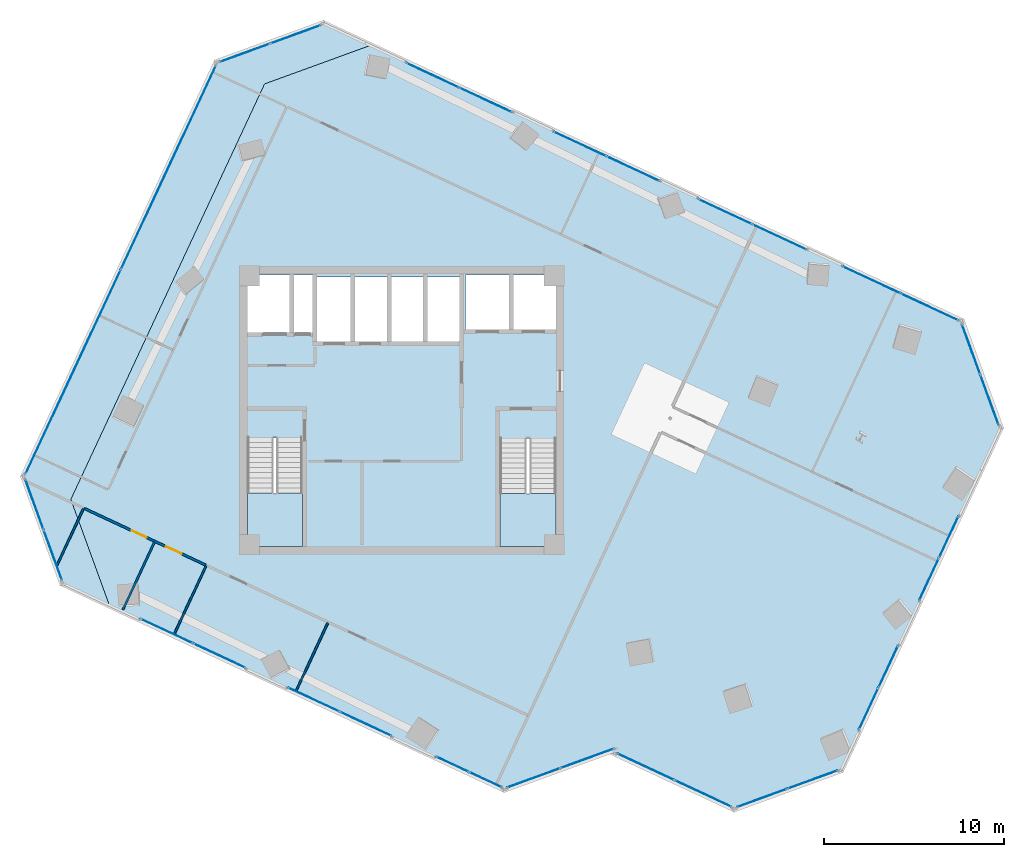
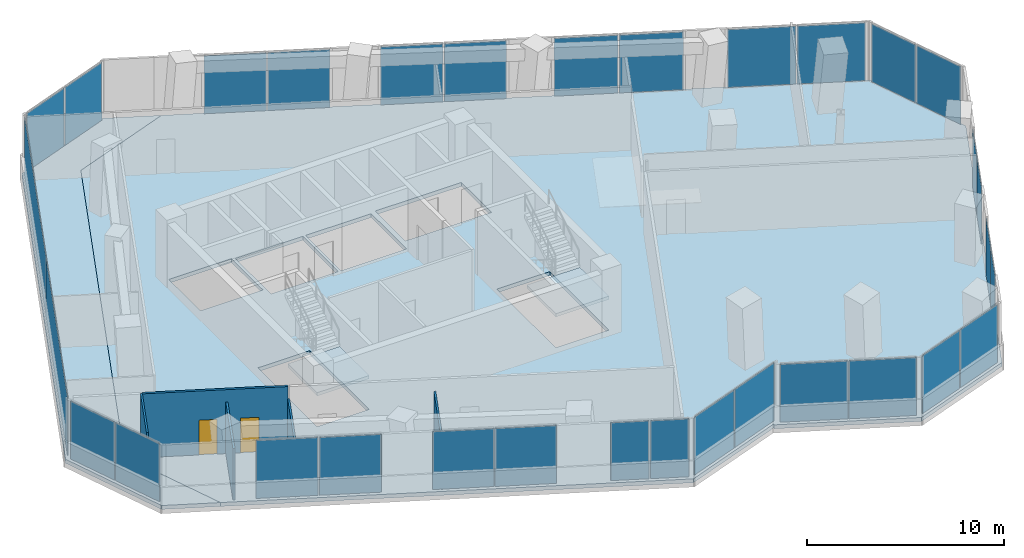
# One storey, part 16 of 23: 32 plates, 5 walls, 4 slabs, 2 doors, 2 openings, 18 elements without a shape of their own.
"""IFC4 building model written with IfcOpenShell, lengths in metres."""

from ifc_helpers import new_model, si_unit, direction, frame, frame_2d, origin, origin_2d, place, context, subcontext, project, spatial, polyline, rectangle, outline, extrude, source, transform, mapped, material, layer, layer_set, type_object, element, fill, aggregate, save


model = new_model("IFC4")

# Units and contexts
model_context = context("Model", 3, precision=1e-05, world=origin(), true_north=direction((0.0, 1.0)))
body_context = subcontext(model_context, "Body", "Model", "MODEL_VIEW")
ifc_project = project(units=[si_unit("LENGTHUNIT", "METRE"), si_unit("AREAUNIT", "SQUARE_METRE"), si_unit("VOLUMEUNIT", "CUBIC_METRE"), si_unit("PLANEANGLEUNIT", "RADIAN"), si_unit("MASSUNIT", "GRAM", prefix="KILO")], contexts=[model_context])

# Site, building, storey
site_placement = place(None, origin())
site = spatial("IfcSite", under=ifc_project, at=site_placement, CompositionType="ELEMENT")
building_placement = place(site_placement, origin())
building = spatial("IfcBuilding", under=site, at=building_placement, Name="Torre Montelarca", CompositionType="ELEMENT")
storey_placement = place(building_placement, frame((0.0, 0.0, 158.199951171875)))
storey = spatial("IfcBuildingStorey", under=building, at=storey_placement, Name="L35", CompositionType="ELEMENT", Elevation=158.199951171875)

# Slabs
ifc_material_1 = material(Name="Concrete C40/50", Category="concrete")
ifc_layer_1 = layer(ifc_material_1, 0.239990234375, Name="Concrete C40/50", Category="concrete")
ifc_layer_set_1 = layer_set([ifc_layer_1], Name="Concrete C40/50")
slab_type_1 = type_object("IfcSlabType", Name="SL-FLR-240", PredefinedType="FLOOR", material=ifc_layer_set_1)
slab_1_placement = place(storey_placement, frame((0.0, 0.0, -0.239990234375)))
element("IfcSlab", 1, at=slab_1_placement, inside=storey, type_object=slab_type_1, Name="L35 Structural Floor Slab", PredefinedType="FLOOR", context=body_context, shape_type="SweptSolid", body=[
    extrude(outline(polyline([(23.68701171875, 10.898681640625), (29.667236328125, 13.0751953125), (29.625, 12.984619140625), (36.42236328125, 9.81494140625), (42.402587890625, 11.99169921875), (51.277587890625, 31.024169921875), (49.100830078125, 37.004150390625), (16.38330078125, 52.2607421875), (10.403076171875, 50.083984375), (-0.33154296875, 27.06396484375), (1.84521484375, 21.083740234375), (23.68701171875, 10.898681640625)]), holes=[polyline([(26.550048828125, 24.449951171875), (23.43994140625, 24.449951171875), (23.43994140625, 30.429931640625), (26.550048828125, 30.429931640625), (26.550048828125, 24.449951171875)]), polyline([(9.449951171875, 24.449951171875), (9.449951171875, 30.4599609375), (12.5, 30.4599609375), (12.5, 24.449951171875), (9.449951171875, 24.449951171875)]), polyline([(17.25, 35.800048828125), (13.300048828125, 35.800048828125), (13.300048828125, 39.39990234375), (17.25, 39.39990234375), (17.25, 35.800048828125)]), polyline([(21.25, 39.39990234375), (21.25, 35.800048828125), (17.39990234375, 35.800048828125), (17.39990234375, 39.39990234375), (21.25, 39.39990234375)]), polyline([(13.1201171875, 36.300048828125), (9.449951171875, 36.300048828125), (9.449951171875, 39.5), (13.1201171875, 39.5), (13.1201171875, 36.300048828125)]), polyline([(26.60009765625, 36.449951171875), (21.550048828125, 36.449951171875), (21.550048828125, 39.5), (26.60009765625, 39.5), (26.60009765625, 36.449951171875)])]), origin(), (0.0, 0.0, 1.0), 0.239990234375),
])
slab_2_placement = place(storey_placement, frame((0.0, 0.0, -0.239990234375)))
element("IfcSlab", 2, at=slab_2_placement, inside=storey, type_object=slab_type_1, Name="L35 Sliding Tray Winter Garden Floor Slab W1", PredefinedType="FLOOR", context=body_context, shape_type="SweptSolid", body=[
    extrude(outline(polyline([(1.84521484375, 21.083740234375), (-0.33154296875, 27.06396484375), (10.403076171875, 50.083984375), (16.38330078125, 52.2607421875), (13.664306640625, 53.528564453125), (7.68408203125, 51.35205078125), (-3.05029296875, 28.331787109375), (-0.873779296875, 22.3515625), (1.84521484375, 21.083740234375)])), origin(), (0.0, 0.0, 1.0), 0.239990234375),
])

# Stair, slab
stair_type_1 = type_object("IfcStairType", Name="ST-CORE-ST1", PredefinedType="HALF_TURN_STAIR", material=ifc_material_1)
stair_1_placement = place(storey_placement, origin())
stair_1 = element("IfcStair", 3, at=stair_1_placement, inside=storey, type_object=stair_type_1, Name="L35 Protected Exit Stair ST1", PredefinedType="HALF_TURN_STAIR")
ifc_layer_2 = layer(ifc_material_1, 0.199951171875, Name="Concrete C40/50", Category="concrete")
ifc_layer_set_2 = layer_set([ifc_layer_2], Name="Concrete C40/50")
slab_type_2 = type_object("IfcSlabType", Name="SL-ST-LAND-ST1", PredefinedType="LANDING", material=ifc_layer_set_2)
slab_3_placement = place(storey_placement, frame((0.0, 0.0, 1.900146484375)))
slab_3 = element("IfcSlab", 4, at=slab_3_placement, type_object=slab_type_2, Name="ST1 landing 1", PredefinedType="LANDING", context=body_context, shape_type="SweptSolid", body=[
    extrude(outline(polyline([(9.449951171875, 27.419921875), (9.449951171875, 24.449951171875), (12.5, 24.449951171875), (12.5, 27.419921875), (9.449951171875, 27.419921875)])), origin(), (0.0, 0.0, 1.0), 0.199951171875),
])
aggregate(stair_1, [slab_3])

stair_type_2 = type_object("IfcStairType", Name="ST-CORE-ST2", PredefinedType="HALF_TURN_STAIR", material=ifc_material_1)
stair_2_placement = place(storey_placement, origin())
stair_2 = element("IfcStair", 5, at=stair_2_placement, inside=storey, type_object=stair_type_2, Name="L35 Protected Exit Stair ST2", PredefinedType="HALF_TURN_STAIR")
ifc_layer_3 = layer(ifc_material_1, 0.199951171875, Name="Concrete C40/50", Category="concrete")
ifc_layer_set_3 = layer_set([ifc_layer_3], Name="Concrete C40/50")
slab_type_3 = type_object("IfcSlabType", Name="SL-ST-LAND-ST2", PredefinedType="LANDING", material=ifc_layer_set_3)
slab_4_placement = place(storey_placement, frame((0.0, 0.0, 1.900146484375)))
slab_4 = element("IfcSlab", 6, at=slab_4_placement, type_object=slab_type_3, Name="ST2 landing 1", PredefinedType="LANDING", context=body_context, shape_type="SweptSolid", body=[
    extrude(outline(polyline([(23.43994140625, 27.389892578125), (23.43994140625, 24.449951171875), (26.550048828125, 24.449951171875), (26.550048828125, 27.389892578125), (23.43994140625, 27.389892578125)])), origin(), (0.0, 0.0, 1.0), 0.199951171875),
])
aggregate(stair_2, [slab_4])

# Curtain wall, plates
ifc_material_2 = material(Name="Insulated low-E laminated glass", Category="glass")
curtain_wall_type = type_object("IfcCurtainWallType", Name="CW-SYS-Z2", PredefinedType="USERDEFINED", material=ifc_material_2)
curtain_wall_1_placement = place(storey_placement, origin())
curtain_wall_1 = element("IfcCurtainWall", 7, at=curtain_wall_1_placement, inside=storey, type_object=curtain_wall_type, Name="L35 Curtain Wall Run CW-T3-L35-E01-B1", ObjectType="UNITISED GLAZING", PredefinedType="USERDEFINED")
ifc_layer_4 = layer(ifc_material_2, 0.031982421875, Name="Insulated low-E laminated glass", Category="glass")
ifc_layer_set_4 = layer_set([ifc_layer_4], Name="Insulated low-E laminated glass")
plate_type = type_object("IfcPlateType", Name="CWP-GLZ-32", PredefinedType="CURTAIN_PANEL", material=ifc_layer_set_4)
shared_shape_1 = source(origin(), body_context, "Body", "SweptSolid", [
    extrude(rectangle(XDim=3.160400390625, YDim=0.031982421875, at=origin_2d()), origin(), (0.0, 0.0, 1.0), 3.590087890625),
])
plate_1_placement = place(storey_placement, frame((4.981689453125, 19.7646484375, 0.06494140625), z_axis=(0.0, 0.0, 1.0), x_axis=(0.906310137418, -0.422613221295, 0.0)))
plate_1 = element("IfcPlate", 8, at=plate_1_placement, type_object=plate_type, Name="CW panel 1.1", PredefinedType="CURTAIN_PANEL", context=body_context, shape_type="MappedRepresentation", body=[
    mapped(shared_shape_1, transform((0.0, 0.0, 0.0), scale=1.0)),
])
plate_2_placement = place(storey_placement, frame((7.90478515625, 18.401611328125, 0.06494140625), z_axis=(0.0, 0.0, 1.0), x_axis=(0.906310137418, -0.422613221295, 0.0)))
plate_2 = element("IfcPlate", 9, at=plate_2_placement, type_object=plate_type, Name="CW panel 2.1", PredefinedType="CURTAIN_PANEL", context=body_context, shape_type="MappedRepresentation", body=[
    mapped(shared_shape_1, transform((0.0, 0.0, 0.0), scale=1.0)),
])
aggregate(curtain_wall_1, [plate_1, plate_2])

curtain_wall_2_placement = place(storey_placement, origin())
curtain_wall_2 = element("IfcCurtainWall", 10, at=curtain_wall_2_placement, inside=storey, type_object=curtain_wall_type, Name="L35 Curtain Wall Run CW-T3-L35-E01-B3", ObjectType="UNITISED GLAZING", PredefinedType="USERDEFINED")
shared_shape_2 = source(origin(), body_context, "Body", "SweptSolid", [
    extrude(rectangle(XDim=1.95458984375, YDim=0.031982421875, at=origin_2d()), origin(), (0.0, 0.0, 1.0), 3.590087890625),
])
plate_3_placement = place(storey_placement, frame((20.81689453125, 12.380615234375, 0.06494140625), z_axis=(0.0, 0.0, 1.0), x_axis=(0.906310711432, -0.422611990299, 0.0)))
plate_3 = element("IfcPlate", 11, at=plate_3_placement, type_object=plate_type, Name="CW panel 1.1", PredefinedType="CURTAIN_PANEL", context=body_context, shape_type="MappedRepresentation", body=[
    mapped(shared_shape_2, transform((0.0, 0.0, 0.0), scale=1.0)),
])
plate_4_placement = place(storey_placement, frame((22.647216796875, 11.527099609375, 0.06494140625), z_axis=(0.0, 0.0, 1.0), x_axis=(0.906310711432, -0.422611990299, 0.0)))
plate_4 = element("IfcPlate", 12, at=plate_4_placement, type_object=plate_type, Name="CW panel 2.1", PredefinedType="CURTAIN_PANEL", context=body_context, shape_type="MappedRepresentation", body=[
    mapped(shared_shape_2, transform((0.0, 0.0, 0.0), scale=1.0)),
])
aggregate(curtain_wall_2, [plate_3, plate_4])

curtain_wall_3_placement = place(storey_placement, origin())
curtain_wall_3 = element("IfcCurtainWall", 13, at=curtain_wall_3_placement, inside=storey, type_object=curtain_wall_type, Name="L35 Curtain Wall Run CW-T3-L35-E04-B1", ObjectType="UNITISED GLAZING", PredefinedType="USERDEFINED")
shared_shape_3 = source(origin(), body_context, "Body", "SweptSolid", [
    extrude(rectangle(XDim=3.448486328125, YDim=0.031982421875, at=origin_2d()), origin(), (0.0, 0.0, 1.0), 3.590087890625),
])
plate_5_placement = place(storey_placement, frame((31.52099609375, 12.243896484375, 0.06494140625), z_axis=(0.0, 0.0, 1.0), x_axis=(0.906315299534, -0.422602150764, 0.0)))
plate_5 = element("IfcPlate", 14, at=plate_5_placement, type_object=plate_type, Name="CW panel 1.1", PredefinedType="CURTAIN_PANEL", context=body_context, shape_type="MappedRepresentation", body=[
    mapped(shared_shape_3, transform((0.0, 0.0, 0.0), scale=1.0)),
])
plate_6_placement = place(storey_placement, frame((34.705322265625, 10.759033203125, 0.06494140625), z_axis=(0.0, 0.0, 1.0), x_axis=(0.906315299534, -0.422602150764, 0.0)))
plate_6 = element("IfcPlate", 15, at=plate_6_placement, type_object=plate_type, Name="CW panel 2.1", PredefinedType="CURTAIN_PANEL", context=body_context, shape_type="MappedRepresentation", body=[
    mapped(shared_shape_3, transform((0.0, 0.0, 0.0), scale=1.0)),
])
aggregate(curtain_wall_3, [plate_5, plate_6])

curtain_wall_4_placement = place(storey_placement, origin())
curtain_wall_4 = element("IfcCurtainWall", 16, at=curtain_wall_4_placement, inside=storey, type_object=curtain_wall_type, Name="L35 Curtain Wall Run CW-T3-L35-E05-B1", ObjectType="UNITISED GLAZING", PredefinedType="USERDEFINED")
shared_shape_4 = source(origin(), body_context, "Body", "SweptSolid", [
    extrude(rectangle(XDim=2.918701171875, YDim=0.031982421875, at=origin_2d()), origin(), (0.0, 0.0, 1.0), 3.590087890625),
])
plate_7_placement = place(storey_placement, frame((37.966064453125, 10.51513671875, 0.06494140625), z_axis=(0.0, 0.0, 1.0), x_axis=(0.939694159282, 0.342015916313, 0.0)))
plate_7 = element("IfcPlate", 17, at=plate_7_placement, type_object=plate_type, Name="CW panel 1.1", PredefinedType="CURTAIN_PANEL", context=body_context, shape_type="MappedRepresentation", body=[
    mapped(shared_shape_4, transform((0.0, 0.0, 0.0), scale=1.0)),
])
plate_8_placement = place(storey_placement, frame((40.769775390625, 11.53564453125, 0.06494140625), z_axis=(0.0, 0.0, 1.0), x_axis=(0.939694159282, 0.342015916313, 0.0)))
plate_8 = element("IfcPlate", 18, at=plate_8_placement, type_object=plate_type, Name="CW panel 2.1", PredefinedType="CURTAIN_PANEL", context=body_context, shape_type="MappedRepresentation", body=[
    mapped(shared_shape_4, transform((0.0, 0.0, 0.0), scale=1.0)),
])
aggregate(curtain_wall_4, [plate_7, plate_8])

curtain_wall_5_placement = place(storey_placement, origin())
curtain_wall_5 = element("IfcCurtainWall", 19, at=curtain_wall_5_placement, inside=storey, type_object=curtain_wall_type, Name="L35 Curtain Wall Run CW-T3-L35-E11-B1", ObjectType="UNITISED GLAZING", PredefinedType="USERDEFINED")
plate_9_placement = place(storey_placement, frame((-2.35009765625, 26.7880859375, 0.06494140625), z_axis=(0.0, 0.0, 1.0), x_axis=(0.342015916313, -0.939694159282, 0.0)))
plate_9 = element("IfcPlate", 20, at=plate_9_placement, type_object=plate_type, Name="CW panel 1.1", PredefinedType="CURTAIN_PANEL", context=body_context, shape_type="MappedRepresentation", body=[
    mapped(shared_shape_4, transform((0.0, 0.0, 0.0), scale=1.0)),
])
plate_10_placement = place(storey_placement, frame((-1.329833984375, 23.984375, 0.06494140625), z_axis=(0.0, 0.0, 1.0), x_axis=(0.342015916313, -0.939694159282, 0.0)))
plate_10 = element("IfcPlate", 21, at=plate_10_placement, type_object=plate_type, Name="CW panel 2.1", PredefinedType="CURTAIN_PANEL", context=body_context, shape_type="MappedRepresentation", body=[
    mapped(shared_shape_4, transform((0.0, 0.0, 0.0), scale=1.0)),
])
aggregate(curtain_wall_5, [plate_9, plate_10])

curtain_wall_6_placement = place(storey_placement, origin())
curtain_wall_6 = element("IfcCurtainWall", 22, at=curtain_wall_6_placement, inside=storey, type_object=curtain_wall_type, Name="L35 Curtain Wall Run CW-T3-L35-E06-B1", ObjectType="UNITISED GLAZING", PredefinedType="USERDEFINED")
shared_shape_5 = source(origin(), body_context, "Body", "SweptSolid", [
    extrude(rectangle(XDim=2.52099609375, YDim=0.031982421875, at=origin_2d()), origin(), (0.0, 0.0, 1.0), 3.590087890625),
])
plate_11_placement = place(storey_placement, frame((43.871826171875, 15.4501953125, 0.06494140625), z_axis=(0.0, 0.0, 1.0), x_axis=(0.422604238194, 0.906314326192, 0.0)))
plate_11 = element("IfcPlate", 23, at=plate_11_placement, type_object=plate_type, Name="CW panel 1.1", PredefinedType="CURTAIN_PANEL", context=body_context, shape_type="MappedRepresentation", body=[
    mapped(shared_shape_5, transform((0.0, 0.0, 0.0), scale=1.0)),
])
plate_12_placement = place(storey_placement, frame((44.964599609375, 17.793701171875, 0.06494140625), z_axis=(0.0, 0.0, 1.0), x_axis=(0.422604238194, 0.906314326192, 0.0)))
plate_12 = element("IfcPlate", 24, at=plate_12_placement, type_object=plate_type, Name="CW panel 2.1", PredefinedType="CURTAIN_PANEL", context=body_context, shape_type="MappedRepresentation", body=[
    mapped(shared_shape_5, transform((0.0, 0.0, 0.0), scale=1.0)),
])
aggregate(curtain_wall_6, [plate_11, plate_12])

curtain_wall_7_placement = place(storey_placement, origin())
curtain_wall_7 = element("IfcCurtainWall", 25, at=curtain_wall_7_placement, inside=storey, type_object=curtain_wall_type, Name="L35 Curtain Wall Run CW-T3-L35-E06-B2", ObjectType="UNITISED GLAZING", PredefinedType="USERDEFINED")
shared_shape_6 = source(origin(), body_context, "Body", "SweptSolid", [
    extrude(rectangle(XDim=2.52001953125, YDim=0.031982421875, at=origin_2d()), origin(), (0.0, 0.0, 1.0), 3.590087890625),
])
plate_13_placement = place(storey_placement, frame((47.220947265625, 22.63232421875, 0.06494140625), z_axis=(0.0, 0.0, 1.0), x_axis=(0.422626098733, 0.906304132546, 0.0)))
plate_13 = element("IfcPlate", 26, at=plate_13_placement, type_object=plate_type, Name="CW panel 1.1", PredefinedType="CURTAIN_PANEL", context=body_context, shape_type="MappedRepresentation", body=[
    mapped(shared_shape_6, transform((0.0, 0.0, 0.0), scale=1.0)),
])
plate_14_placement = place(storey_placement, frame((48.313232421875, 24.974853515625, 0.06494140625), z_axis=(0.0, 0.0, 1.0), x_axis=(0.422626098733, 0.906304132546, 0.0)))
plate_14 = element("IfcPlate", 27, at=plate_14_placement, type_object=plate_type, Name="CW panel 2.1", PredefinedType="CURTAIN_PANEL", context=body_context, shape_type="MappedRepresentation", body=[
    mapped(shared_shape_6, transform((0.0, 0.0, 0.0), scale=1.0)),
])
aggregate(curtain_wall_7, [plate_13, plate_14])

curtain_wall_8_placement = place(storey_placement, origin())
curtain_wall_8 = element("IfcCurtainWall", 28, at=curtain_wall_8_placement, inside=storey, type_object=curtain_wall_type, Name="L35 Curtain Wall Run CW-T3-L35-E08-B1", ObjectType="UNITISED GLAZING", PredefinedType="USERDEFINED")
shared_shape_7 = source(origin(), body_context, "Body", "SweptSolid", [
    extrude(rectangle(XDim=3.4921875, YDim=0.031982421875, at=origin_2d()), origin(), (0.0, 0.0, 1.0), 3.590087890625),
])
plate_15_placement = place(storey_placement, frame((47.25439453125, 37.721923828125, 0.06494140625), z_axis=(0.0, 0.0, 1.0), x_axis=(-0.906311916868, 0.422609405176, 0.0)))
plate_15 = element("IfcPlate", 29, at=plate_15_placement, type_object=plate_type, Name="CW panel 1.1", PredefinedType="CURTAIN_PANEL", context=body_context, shape_type="MappedRepresentation", body=[
    mapped(shared_shape_7, transform((0.0, 0.0, 0.0), scale=1.0)),
])
plate_16_placement = place(storey_placement, frame((44.030517578125, 39.22509765625, 0.06494140625), z_axis=(0.0, 0.0, 1.0), x_axis=(-0.906311916868, 0.422609405176, 0.0)))
plate_16 = element("IfcPlate", 30, at=plate_16_placement, type_object=plate_type, Name="CW panel 2.1", PredefinedType="CURTAIN_PANEL", context=body_context, shape_type="MappedRepresentation", body=[
    mapped(shared_shape_7, transform((0.0, 0.0, 0.0), scale=1.0)),
])
aggregate(curtain_wall_8, [plate_15, plate_16])

curtain_wall_9_placement = place(storey_placement, origin())
curtain_wall_9 = element("IfcCurtainWall", 31, at=curtain_wall_9_placement, inside=storey, type_object=curtain_wall_type, Name="L35 Curtain Wall Run CW-T3-L35-E08-B2", ObjectType="UNITISED GLAZING", PredefinedType="USERDEFINED")
shared_shape_8 = source(origin(), body_context, "Body", "SweptSolid", [
    extrude(rectangle(XDim=3.26513671875, YDim=0.031982421875, at=origin_2d()), origin(), (0.0, 0.0, 1.0), 3.590087890625),
])
plate_17_placement = place(storey_placement, frame((38.938232421875, 41.599609375, 0.06494140625), z_axis=(0.0, 0.0, 1.0), x_axis=(-0.906312631793, 0.422607871972, 0.0)))
plate_17 = element("IfcPlate", 32, at=plate_17_placement, type_object=plate_type, Name="CW panel 1.1", PredefinedType="CURTAIN_PANEL", context=body_context, shape_type="MappedRepresentation", body=[
    mapped(shared_shape_8, transform((0.0, 0.0, 0.0), scale=1.0)),
])
plate_18_placement = place(storey_placement, frame((35.920166015625, 43.007080078125, 0.06494140625), z_axis=(0.0, 0.0, 1.0), x_axis=(-0.906312631793, 0.422607871972, 0.0)))
plate_18 = element("IfcPlate", 33, at=plate_18_placement, type_object=plate_type, Name="CW panel 2.1", PredefinedType="CURTAIN_PANEL", context=body_context, shape_type="MappedRepresentation", body=[
    mapped(shared_shape_8, transform((0.0, 0.0, 0.0), scale=1.0)),
])
aggregate(curtain_wall_9, [plate_17, plate_18])

curtain_wall_10_placement = place(storey_placement, origin())
curtain_wall_10 = element("IfcCurtainWall", 34, at=curtain_wall_10_placement, inside=storey, type_object=curtain_wall_type, Name="L35 Curtain Wall Run CW-T3-L35-E08-B3", ObjectType="UNITISED GLAZING", PredefinedType="USERDEFINED")
shared_shape_9 = source(origin(), body_context, "Body", "SweptSolid", [
    extrude(rectangle(XDim=3.181884765625, YDim=0.031982421875, at=origin_2d()), origin(), (0.0, 0.0, 1.0), 3.590087890625),
])
plate_19_placement = place(storey_placement, frame((30.8193359375, 45.385498046875, 0.06494140625), z_axis=(0.0, 0.0, 1.0), x_axis=(-0.906309304335, 0.422615007869, 0.0)))
plate_19 = element("IfcPlate", 35, at=plate_19_placement, type_object=plate_type, Name="CW panel 1.1", PredefinedType="CURTAIN_PANEL", context=body_context, shape_type="MappedRepresentation", body=[
    mapped(shared_shape_9, transform((0.0, 0.0, 0.0), scale=1.0)),
])
plate_20_placement = place(storey_placement, frame((27.87646484375, 46.7578125, 0.06494140625), z_axis=(0.0, 0.0, 1.0), x_axis=(-0.906309304335, 0.422615007869, 0.0)))
plate_20 = element("IfcPlate", 36, at=plate_20_placement, type_object=plate_type, Name="CW panel 2.1", PredefinedType="CURTAIN_PANEL", context=body_context, shape_type="MappedRepresentation", body=[
    mapped(shared_shape_9, transform((0.0, 0.0, 0.0), scale=1.0)),
])
aggregate(curtain_wall_10, [plate_19, plate_20])

curtain_wall_11_placement = place(storey_placement, origin())
curtain_wall_11 = element("IfcCurtainWall", 37, at=curtain_wall_11_placement, inside=storey, type_object=curtain_wall_type, Name="L35 Curtain Wall Run CW-T3-L35-E08-B4", ObjectType="UNITISED GLAZING", PredefinedType="USERDEFINED")
shared_shape_10 = source(origin(), body_context, "Body", "SweptSolid", [
    extrude(rectangle(XDim=3.180908203125, YDim=0.031982421875, at=origin_2d()), origin(), (0.0, 0.0, 1.0), 3.590087890625),
])
plate_21_placement = place(storey_placement, frame((22.6630859375, 49.18896484375, 0.06494140625), z_axis=(0.0, 0.0, 1.0), x_axis=(-0.906310123566, 0.422613251002, 0.0)))
plate_21 = element("IfcPlate", 38, at=plate_21_placement, type_object=plate_type, Name="CW panel 1.1", PredefinedType="CURTAIN_PANEL", context=body_context, shape_type="MappedRepresentation", body=[
    mapped(shared_shape_10, transform((0.0, 0.0, 0.0), scale=1.0)),
])
plate_22_placement = place(storey_placement, frame((19.72119140625, 50.560791015625, 0.06494140625), z_axis=(0.0, 0.0, 1.0), x_axis=(-0.906310123566, 0.422613251002, 0.0)))
plate_22 = element("IfcPlate", 39, at=plate_22_placement, type_object=plate_type, Name="CW panel 2.1", PredefinedType="CURTAIN_PANEL", context=body_context, shape_type="MappedRepresentation", body=[
    mapped(shared_shape_10, transform((0.0, 0.0, 0.0), scale=1.0)),
])
aggregate(curtain_wall_11, [plate_21, plate_22])

curtain_wall_12_placement = place(storey_placement, origin())
curtain_wall_12 = element("IfcCurtainWall", 40, at=curtain_wall_12_placement, inside=storey, type_object=curtain_wall_type, Name="L35 Curtain Wall Run CW-T3-L35-E10-B1", ObjectType="UNITISED GLAZING", PredefinedType="USERDEFINED")
shared_shape_11 = source(origin(), body_context, "Body", "SweptSolid", [
    extrude(rectangle(XDim=12.4365234375, YDim=0.031982421875, at=origin_2d()), origin(), (0.0, 0.0, 1.0), 3.590087890625),
])
plate_23_placement = place(storey_placement, frame((5.076416015625, 45.4521484375, 0.06494140625), z_axis=(0.0, 0.0, 1.0), x_axis=(-0.422614216079, -0.906309673549, 0.0)))
plate_23 = element("IfcPlate", 41, at=plate_23_placement, type_object=plate_type, Name="CW panel 1.1", PredefinedType="CURTAIN_PANEL", context=body_context, shape_type="MappedRepresentation", body=[
    mapped(shared_shape_11, transform((0.0, 0.0, 0.0), scale=1.0)),
])
plate_24_placement = place(storey_placement, frame((-0.20703125, 34.121826171875, 0.06494140625), z_axis=(0.0, 0.0, 1.0), x_axis=(-0.422614216079, -0.906309673549, 0.0)))
plate_24 = element("IfcPlate", 42, at=plate_24_placement, type_object=plate_type, Name="CW panel 2.1", PredefinedType="CURTAIN_PANEL", context=body_context, shape_type="MappedRepresentation", body=[
    mapped(shared_shape_11, transform((0.0, 0.0, 0.0), scale=1.0)),
])
aggregate(curtain_wall_12, [plate_23, plate_24])

curtain_wall_13_placement = place(storey_placement, origin())
curtain_wall_13 = element("IfcCurtainWall", 43, at=curtain_wall_13_placement, inside=storey, type_object=curtain_wall_type, Name="L35 Curtain Wall Run CW-T3-L35-E02-B1", ObjectType="UNITISED GLAZING", PredefinedType="USERDEFINED")
shared_shape_12 = source(origin(), body_context, "Body", "SweptSolid", [
    extrude(rectangle(XDim=3.1025390625, YDim=0.031982421875, at=origin_2d()), origin(), (0.0, 0.0, 1.0), 3.590087890625),
])
plate_25_placement = place(storey_placement, frame((25.3173828125, 11.63037109375, 0.06494140625), z_axis=(0.0, 0.0, 1.0), x_axis=(0.939693473932, 0.342017799316, 0.0)))
plate_25 = element("IfcPlate", 44, at=plate_25_placement, type_object=plate_type, Name="CW panel 1.1", PredefinedType="CURTAIN_PANEL", context=body_context, shape_type="MappedRepresentation", body=[
    mapped(shared_shape_12, transform((0.0, 0.0, 0.0), scale=1.0)),
])
plate_26_placement = place(storey_placement, frame((28.293701171875, 12.713623046875, 0.06494140625), z_axis=(0.0, 0.0, 1.0), x_axis=(0.939693473932, 0.342017799316, 0.0)))
plate_26 = element("IfcPlate", 45, at=plate_26_placement, type_object=plate_type, Name="CW panel 2.1", PredefinedType="CURTAIN_PANEL", context=body_context, shape_type="MappedRepresentation", body=[
    mapped(shared_shape_12, transform((0.0, 0.0, 0.0), scale=1.0)),
])
aggregate(curtain_wall_13, [plate_25, plate_26])

curtain_wall_14_placement = place(storey_placement, origin())
curtain_wall_14 = element("IfcCurtainWall", 46, at=curtain_wall_14_placement, inside=storey, type_object=curtain_wall_type, Name="L35 Curtain Wall Run CW-T3-L35-E07-B1", ObjectType="UNITISED GLAZING", PredefinedType="USERDEFINED")
shared_shape_13 = source(origin(), body_context, "Body", "SweptSolid", [
    extrude(rectangle(XDim=2.91845703125, YDim=0.031982421875, at=origin_2d()), origin(), (0.0, 0.0, 1.0), 3.590087890625),
])
plate_27_placement = place(storey_placement, frame((50.5771484375, 32.56787109375, 0.06494140625), z_axis=(0.0, 0.0, 1.0), x_axis=(-0.342021244323, 0.939692220055, 0.0)))
plate_27 = element("IfcPlate", 47, at=plate_27_placement, type_object=plate_type, Name="CW panel 1.1", PredefinedType="CURTAIN_PANEL", context=body_context, shape_type="MappedRepresentation", body=[
    mapped(shared_shape_13, transform((0.0, 0.0, 0.0), scale=1.0)),
])
plate_28_placement = place(storey_placement, frame((49.556884765625, 35.371337890625, 0.06494140625), z_axis=(0.0, 0.0, 1.0), x_axis=(-0.342021244323, 0.939692220055, 0.0)))
plate_28 = element("IfcPlate", 48, at=plate_28_placement, type_object=plate_type, Name="CW panel 2.1", PredefinedType="CURTAIN_PANEL", context=body_context, shape_type="MappedRepresentation", body=[
    mapped(shared_shape_13, transform((0.0, 0.0, 0.0), scale=1.0)),
])
aggregate(curtain_wall_14, [plate_27, plate_28])

curtain_wall_15_placement = place(storey_placement, origin())
curtain_wall_15 = element("IfcCurtainWall", 49, at=curtain_wall_15_placement, inside=storey, type_object=curtain_wall_type, Name="L35 Curtain Wall Run CW-T3-L35-E09-B1", ObjectType="UNITISED GLAZING", PredefinedType="USERDEFINED")
plate_29_placement = place(storey_placement, frame((12.120361328125, 52.828369140625, 0.06494140625), z_axis=(0.0, 0.0, 1.0), x_axis=(-0.939692220055, -0.342021244323, 0.0)))
plate_29 = element("IfcPlate", 50, at=plate_29_placement, type_object=plate_type, Name="CW panel 1.1", PredefinedType="CURTAIN_PANEL", context=body_context, shape_type="MappedRepresentation", body=[
    mapped(shared_shape_13, transform((0.0, 0.0, 0.0), scale=1.0)),
])
plate_30_placement = place(storey_placement, frame((9.31689453125, 51.807861328125, 0.06494140625), z_axis=(0.0, 0.0, 1.0), x_axis=(-0.939692220055, -0.342021244323, 0.0)))
plate_30 = element("IfcPlate", 51, at=plate_30_placement, type_object=plate_type, Name="CW panel 2.1", PredefinedType="CURTAIN_PANEL", context=body_context, shape_type="MappedRepresentation", body=[
    mapped(shared_shape_13, transform((0.0, 0.0, 0.0), scale=1.0)),
])
aggregate(curtain_wall_15, [plate_29, plate_30])

curtain_wall_16_placement = place(storey_placement, origin())
curtain_wall_16 = element("IfcCurtainWall", 52, at=curtain_wall_16_placement, inside=storey, type_object=curtain_wall_type, Name="L35 Curtain Wall Run CW-T3-L35-E01-B2", ObjectType="UNITISED GLAZING", PredefinedType="USERDEFINED")
shared_shape_14 = source(origin(), body_context, "Body", "SweptSolid", [
    extrude(rectangle(XDim=3.12158203125, YDim=0.031982421875, at=origin_2d()), origin(), (0.0, 0.0, 1.0), 3.590087890625),
])
plate_31_placement = place(storey_placement, frame((13.120849609375, 15.96923828125, 0.06494140625), z_axis=(0.0, 0.0, 1.0), x_axis=(0.906313643594, -0.422605702085, 0.0)))
plate_31 = element("IfcPlate", 53, at=plate_31_placement, type_object=plate_type, Name="CW panel 1.1", PredefinedType="CURTAIN_PANEL", context=body_context, shape_type="MappedRepresentation", body=[
    mapped(shared_shape_14, transform((0.0, 0.0, 0.0), scale=1.0)),
])
plate_32_placement = place(storey_placement, frame((16.009033203125, 14.62255859375, 0.06494140625), z_axis=(0.0, 0.0, 1.0), x_axis=(0.906313643594, -0.422605702085, 0.0)))
plate_32 = element("IfcPlate", 54, at=plate_32_placement, type_object=plate_type, Name="CW panel 2.1", PredefinedType="CURTAIN_PANEL", context=body_context, shape_type="MappedRepresentation", body=[
    mapped(shared_shape_14, transform((0.0, 0.0, 0.0), scale=1.0)),
])
aggregate(curtain_wall_16, [plate_31, plate_32])

# Walls
ifc_material_3 = material(Name="Acoustic laminated glass partition", Category="glass")
ifc_layer_5 = layer(ifc_material_3, 0.10009765625, Name="Acoustic laminated glass partition", Category="glass")
ifc_layer_set_5 = layer_set([ifc_layer_5], Name="Acoustic laminated glass partition")
wall_type_1 = type_object("IfcWallType", Name="PW-GLAZ-100", PredefinedType="PARTITIONING", material=ifc_layer_set_5)
wall_1_placement = place(storey_placement, frame((-1.087646484375, 23.43115234375, 0.0), z_axis=(0.0, 0.0, 1.0), x_axis=(0.422632310917, 0.906301235665, 0.0)))
element("IfcWall", 55, at=wall_1_placement, inside=storey, type_object=wall_type_1, Name="L35 Interior Partition W-L35-WCW", PredefinedType="PARTITIONING", context=body_context, shape_type="SweptSolid", body=[
    extrude(rectangle(XDim=3.431884765625, YDim=0.10009765625, at=frame_2d((1.7158203125, 0.0))), origin(), (0.0, 0.0, 1.0), 3.9599609375),
])
for number, where, z_axis, x_axis, name in (
    (56, (5.410400390625, 19.619873046875, 0.0), (0.0, 0.0, 1.0), (0.422656233697, 0.906290079454, 0.0), "L35 Interior Partition W-L35-SWCDIV"),
    (57, (12.162353515625, 16.471435546875, 0.0), (0.0, 0.0, 1.0), (0.422656233697, 0.906290079454, 0.0), "L35 Interior Partition W-L35-SWDIV"),
):
    element("IfcWall", number, at=place(storey_placement, frame(where, z_axis=z_axis, x_axis=x_axis)), inside=storey, type_object=wall_type_1, Name=name, PredefinedType="PARTITIONING", context=body_context, shape_type="SweptSolid", body=[
        extrude(rectangle(XDim=4.139892578125, YDim=0.10009765625, at=frame_2d((2.06982421875, 0.0))), origin(), (0.0, 0.0, 1.0), 3.195068359375),
    ])
ifc_material_4 = material(Name="Gypsum plasterboard on steel stud", Category="steel")
ifc_layer_6 = layer(ifc_material_4, 0.114990234375, Name="Gypsum plasterboard on steel stud", Category="steel")
ifc_layer_set_6 = layer_set([ifc_layer_6], Name="Gypsum plasterboard on steel stud")
wall_type_2 = type_object("IfcWallType", Name="PW-PART-115", PredefinedType="PARTITIONING", material=ifc_layer_set_6)
wall_2_placement = place(storey_placement, frame((2.5556640625, 20.951171875, 0.0), z_axis=(0.0, 0.0, 1.0), x_axis=(0.422607794095, 0.906312668106, 0.0)))
element("IfcWall", 58, at=wall_2_placement, inside=storey, type_object=wall_type_2, Name="L35 Interior Partition W-L35-WCD", PredefinedType="PARTITIONING", context=body_context, shape_type="SweptSolid", body=[
    extrude(rectangle(XDim=4.139892578125, YDim=0.114990234375, at=frame_2d((2.06982421875, 0.0))), origin(), (0.0, 0.0, 1.0), 3.195068359375),
])

# Wall, openings, doors
ifc_layer_7 = layer(ifc_material_4, 0.135009765625, Name="Gypsum plasterboard on steel stud", Category="steel")
ifc_layer_set_7 = layer_set([ifc_layer_7], Name="Gypsum plasterboard on steel stud")
wall_type_3 = type_object("IfcWallType", Name="PW-PART-135", PredefinedType="PARTITIONING", material=ifc_layer_set_7)
wall_3_placement = place(storey_placement, frame((0.416015625, 26.560791015625, 0.0), z_axis=(0.0, 0.0, 1.0), x_axis=(0.906307511488, -0.422618852656, 0.0)))
wall_3 = element("IfcWall", 59, at=wall_3_placement, inside=storey, type_object=wall_type_3, Name="L35 Interior Partition W-L35-WCN", PredefinedType="PARTITIONING", context=body_context, shape_type="SweptSolid", body=[
    extrude(rectangle(XDim=7.419677734375, YDim=0.135009765625, at=frame_2d((3.7099609375, 0.0))), origin(), (0.0, 0.0, 1.0), 3.9599609375),
])
opening_1_placement = place(wall_3_placement, frame((2.89990234375, 0.0, 0.0)))
opening_1 = element("IfcOpeningElement", 60, at=opening_1_placement, cuts=wall_3, Name="Opening ID-090", PredefinedType="OPENING", context=body_context, shape_type="SweptSolid", body=[
    extrude(rectangle(XDim=0.89990234375, YDim=2.14990234375, at=frame_2d((0.449951171875, 1.074951171875))), frame((0.0, 0.07763671875, 0.0), z_axis=(0.0, -1.0, 0.0), x_axis=(1.0, 0.0, 0.0)), (0.0, 0.0, 1.0), 0.155029296875),
])
opening_2_placement = place(wall_3_placement, frame((5.0, 0.0, 0.0)))
opening_2 = element("IfcOpeningElement", 61, at=opening_2_placement, cuts=wall_3, Name="Opening ID-095", PredefinedType="OPENING", context=body_context, shape_type="SweptSolid", body=[
    extrude(rectangle(XDim=0.949951171875, YDim=2.14990234375, at=frame_2d((0.47509765625, 1.074951171875))), frame((0.0, 0.07763671875, 0.0), z_axis=(0.0, -1.0, 0.0), x_axis=(1.0, 0.0, 0.0)), (0.0, 0.0, 1.0), 0.155029296875),
])
ifc_material_5 = material(Name="Hardwood acoustic timber veneer", Category="wood")
door_type_1 = type_object("IfcDoorType", Name="DR-INT-090", OperationType="NOTDEFINED", PredefinedType="DOOR", material=ifc_material_5)
shared_shape_15 = source(origin(), body_context, "Body", "SweptSolid", [
    extrude(rectangle(XDim=0.89990234375, YDim=2.14990234375, at=frame_2d((0.449951171875, 1.074951171875))), frame((0.0, 0.02490234375, 0.0), z_axis=(0.0, -1.0, 0.0), x_axis=(1.0, 0.0, 0.0)), (0.0, 0.0, 1.0), 0.050048828125),
])
door_1_placement = place(opening_1_placement, origin())
door_1 = element("IfcDoor", 62, at=door_1_placement, inside=storey, type_object=door_type_1, Name="L35 Interior Door 04", OperationType="SINGLE_SWING_LEFT", OverallHeight=2.14990234375, OverallWidth=0.89990234375, PredefinedType="DOOR", context=body_context, shape_type="MappedRepresentation", body=[
    mapped(shared_shape_15, transform((0.0, 0.0, 0.0), scale=1.0)),
])
fill(opening_1, door_1)
door_type_2 = type_object("IfcDoorType", Name="DR-INT-095", OperationType="NOTDEFINED", PredefinedType="DOOR", material=ifc_material_5)
shared_shape_16 = source(origin(), body_context, "Body", "SweptSolid", [
    extrude(rectangle(XDim=0.949951171875, YDim=2.14990234375, at=frame_2d((0.47509765625, 1.074951171875))), frame((0.0, 0.02490234375, 0.0), z_axis=(0.0, -1.0, 0.0), x_axis=(1.0, 0.0, 0.0)), (0.0, 0.0, 1.0), 0.050048828125),
])
door_2_placement = place(opening_2_placement, origin())
door_2 = element("IfcDoor", 63, at=door_2_placement, inside=storey, type_object=door_type_2, Name="L35 Interior Door 05", OperationType="SINGLE_SWING_RIGHT", OverallHeight=2.14990234375, OverallWidth=0.949951171875, PredefinedType="DOOR", context=body_context, shape_type="MappedRepresentation", body=[
    mapped(shared_shape_16, transform((0.0, 0.0, 0.0), scale=1.0)),
])
fill(opening_2, door_2)

save(model, "model.ifc")
